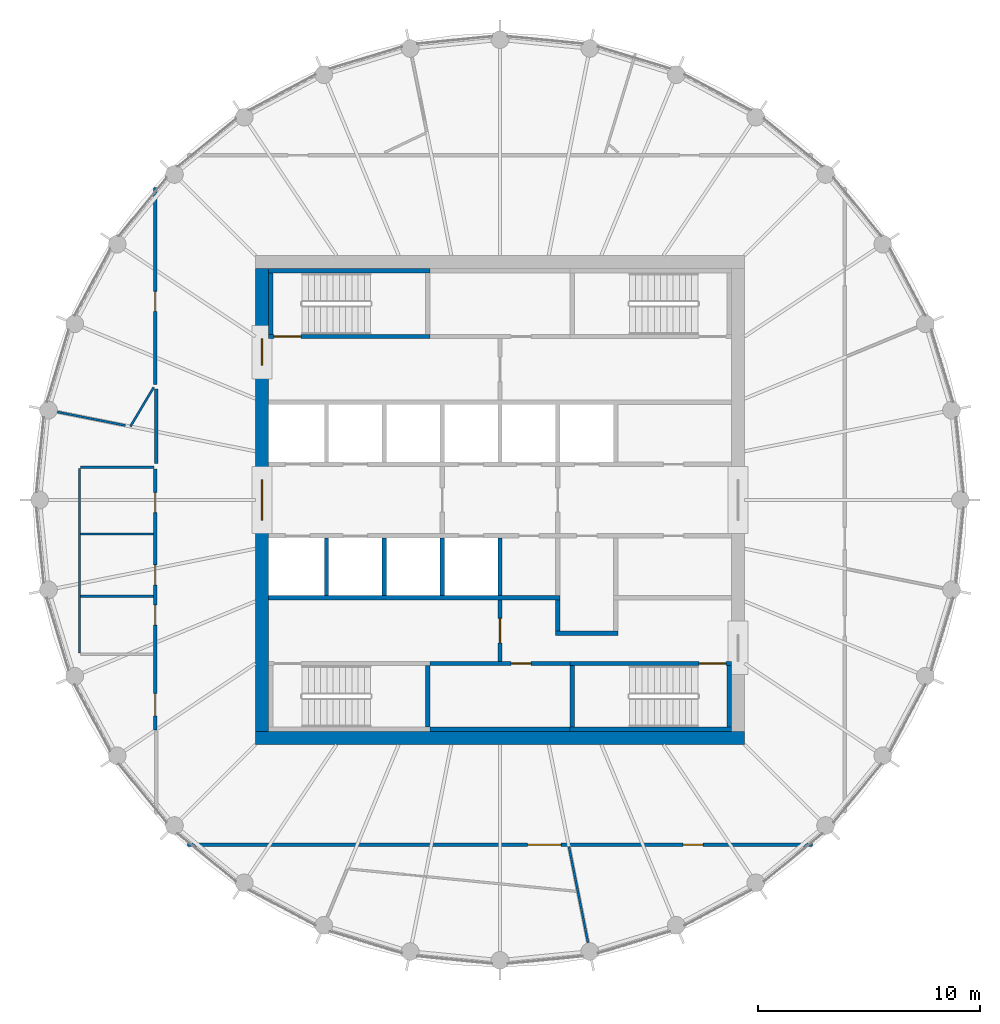
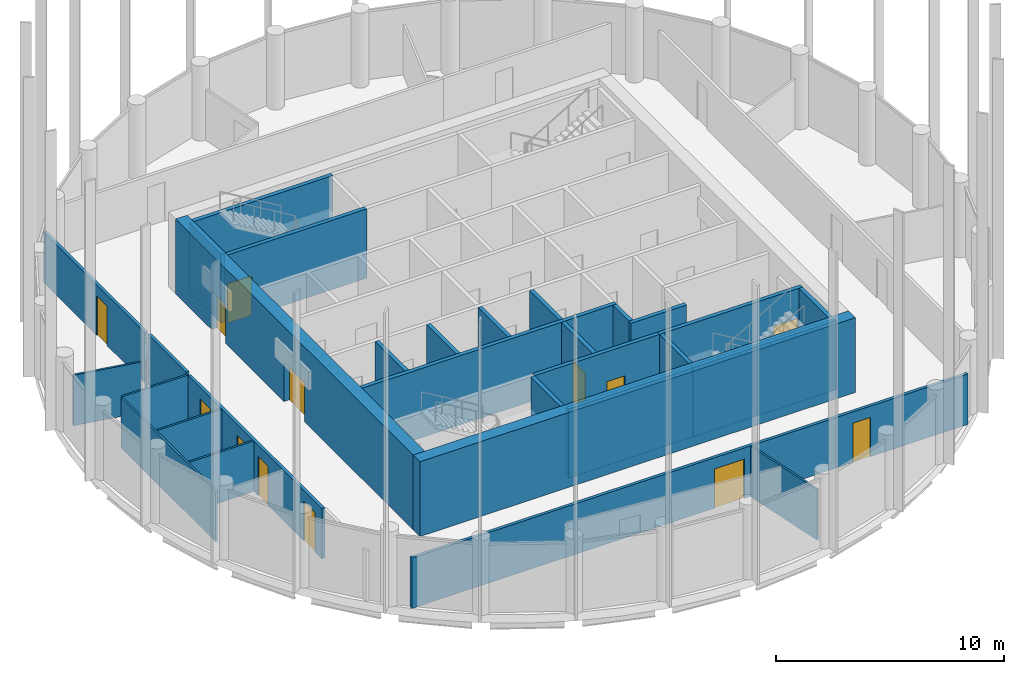
# One storey, part 4 of 7: 31 walls, 13 doors, 13 openings.
"""IFC4 building model written with IfcOpenShell, lengths in metres."""

from ifc_helpers import new_model, si_unit, direction, frame, frame_2d, origin, place, context, subcontext, project, spatial, polyline, rectangle, outline, extrude, material, layer, layer_set, type_object, element, fill, save


model = new_model("IFC4")

# Units and contexts
model_context = context("Model", 3, precision=1e-05, world=origin(), true_north=direction((0.0, 1.0)))
body_context = subcontext(model_context, "Body", "Model", "MODEL_VIEW")
ifc_project = project(units=[si_unit("LENGTHUNIT", "METRE"), si_unit("AREAUNIT", "SQUARE_METRE"), si_unit("VOLUMEUNIT", "CUBIC_METRE"), si_unit("PLANEANGLEUNIT", "RADIAN"), si_unit("MASSUNIT", "GRAM", prefix="KILO")], contexts=[model_context])

# Site, building, storey
site_placement = place(None, origin())
site = spatial("IfcSite", under=ifc_project, at=site_placement, CompositionType="ELEMENT")
building_placement = place(site_placement, origin())
building = spatial("IfcBuilding", under=site, at=building_placement, Name="Corvane Civic Tower", CompositionType="ELEMENT")
storey_placement = place(building_placement, frame((0.0, 0.0, 324.5)))
storey = spatial("IfcBuildingStorey", under=building, at=storey_placement, Name="L77", CompositionType="ELEMENT", Elevation=324.5)

# Wall
ifc_material_1 = material(Name="Concrete C40/50", Category="concrete")
ifc_layer_1 = layer(ifc_material_1, 0.60009765625)
ifc_layer_set_1 = layer_set([ifc_layer_1], Name="Concrete C40/50")
wall_type_1 = type_object("IfcWallType", Name="CORE WALL 600 C40/50", PredefinedType="SHEAR", material=ifc_layer_set_1)
wall_1_placement = place(storey_placement, frame((-11.0, -10.699951171875, 0.0), z_axis=(0.0, 0.0, 1.0), x_axis=(1.0, 0.0, 0.0)))
element("IfcWall", 1, at=wall_1_placement, inside=storey, type_object=wall_type_1, Name="W-L77-core-S", PredefinedType="SHEAR", context=body_context, shape_type="SweptSolid", body=[
    extrude(rectangle(XDim=22.0, YDim=0.60009765625, at=frame_2d((11.0, 0.0))), origin(), (0.0, 0.0, 1.0), 4.0),
])

# Wall, openings, doors
wall_2_placement = place(storey_placement, frame((-10.699951171875, -10.39990234375, 0.0), z_axis=(0.0, 0.0, 1.0), x_axis=(0.0, 1.0, 0.0)))
wall_2 = element("IfcWall", 2, at=wall_2_placement, inside=storey, type_object=wall_type_1, Name="W-L77-core-W", PredefinedType="SHEAR", context=body_context, shape_type="SweptSolid", body=[
    extrude(rectangle(XDim=20.7998046875, YDim=0.60009765625, at=frame_2d((10.39990234375, 0.0))), origin(), (0.0, 0.0, 1.0), 4.0),
])
opening_1_placement = place(wall_2_placement, frame((9.5, 0.0, 0.0)))
opening_1 = element("IfcOpeningElement", 3, at=opening_1_placement, cuts=wall_2, Name="Opening L77.C15", PredefinedType="OPENING", context=body_context, shape_type="SweptSolid", body=[
    extrude(rectangle(XDim=1.800048828125, YDim=2.10009765625, at=frame_2d((0.89990234375, 1.050048828125))), frame((0.0, 0.31005859375, 0.0), z_axis=(0.0, -1.0, 0.0), x_axis=(1.0, 0.0, 0.0)), (0.0, 0.0, 1.0), 0.6201171875),
])
opening_2_placement = place(wall_2_placement, frame((16.449951171875, 0.0, 0.0)))
opening_2 = element("IfcOpeningElement", 4, at=opening_2_placement, cuts=wall_2, Name="Opening L77.C17", PredefinedType="OPENING", context=body_context, shape_type="SweptSolid", body=[
    extrude(rectangle(XDim=1.199951171875, YDim=2.10009765625, at=frame_2d((0.60009765625, 1.050048828125))), frame((0.0, 0.31005859375, 0.0), z_axis=(0.0, -1.0, 0.0), x_axis=(1.0, 0.0, 0.0)), (0.0, 0.0, 1.0), 0.6201171875),
])
ifc_material_2 = material(Name="Steel fire door leaf", Category="steel")
door_type_1 = type_object("IfcDoorType", Name="CR-DOOR-CORE-1800", OperationType="DOUBLE_DOOR_SINGLE_SWING", PredefinedType="DOOR", material=ifc_material_2)
door_1_placement = place(opening_1_placement, origin())
door_1 = element("IfcDoor", 5, at=door_1_placement, inside=storey, type_object=door_type_1, Name="L77 door", OperationType="DOUBLE_DOOR_SINGLE_SWING", OverallHeight=2.10009765625, OverallWidth=1.800048828125, PredefinedType="DOOR", context=body_context, shape_type="SweptSolid", body=[
    extrude(rectangle(XDim=1.800048828125, YDim=2.10009765625, at=frame_2d((0.89990234375, 1.050048828125))), frame((0.0, 0.02490234375, 0.0), z_axis=(0.0, -1.0, 0.0), x_axis=(1.0, 0.0, 0.0)), (0.0, 0.0, 1.0), 0.050048828125),
])
fill(opening_1, door_1)
door_2_placement = place(opening_2_placement, origin())
door_2 = element("IfcDoor", 6, at=door_2_placement, inside=storey, type_object=door_type_1, Name="L77 door", OperationType="DOUBLE_DOOR_SINGLE_SWING", OverallHeight=2.10009765625, OverallWidth=1.199951171875, PredefinedType="DOOR", context=body_context, shape_type="SweptSolid", body=[
    extrude(rectangle(XDim=1.199951171875, YDim=2.10009765625, at=frame_2d((0.60009765625, 1.050048828125))), frame((0.0, 0.02490234375, 0.0), z_axis=(0.0, -1.0, 0.0), x_axis=(1.0, 0.0, 0.0)), (0.0, 0.0, 1.0), 0.050048828125),
])
fill(opening_2, door_2)

# Wall, opening, door
ifc_material_3 = material(Name="Concrete C30/37", Category="concrete")
ifc_layer_2 = layer(ifc_material_3, 0.199951171875)
ifc_layer_set_2 = layer_set([ifc_layer_2], Name="Concrete C30/37")
wall_type_2 = type_object("IfcWallType", Name="CR-WALL-200", PredefinedType="PARTITIONING", material=ifc_layer_set_2)
wall_3_placement = place(storey_placement, frame((-3.14990234375, -7.35009765625, 0.0), z_axis=(0.0, 0.0, 1.0), x_axis=(1.0, 0.0, 0.0)))
wall_3 = element("IfcWall", 7, at=wall_3_placement, inside=storey, type_object=wall_type_2, Name="L77 partition wall", PredefinedType="PARTITIONING", context=body_context, shape_type="SweptSolid", body=[
    extrude(rectangle(XDim=6.2998046875, YDim=0.199951171875, at=frame_2d((3.14990234375, 0.0))), origin(), (0.0, 0.0, 1.0), 3.699951171875),
])
opening_3_placement = place(wall_3_placement, frame((3.64990234375, 0.0, 0.0)))
opening_3 = element("IfcOpeningElement", 8, at=opening_3_placement, cuts=wall_3, Name="Opening L77.C06", PredefinedType="OPENING", context=body_context, shape_type="SweptSolid", body=[
    extrude(rectangle(XDim=0.89990234375, YDim=2.10009765625, at=frame_2d((0.449951171875, 1.050048828125))), frame((0.0, 0.10986328125, 0.0), z_axis=(0.0, -1.0, 0.0), x_axis=(1.0, 0.0, 0.0)), (0.0, 0.0, 1.0), 0.219970703125),
])
ifc_material_4 = material(Name="Steel fire door leaf", Category="steel")
door_type_2 = type_object("IfcDoorType", Name="CR-DOOR-900", OperationType="SINGLE_SWING_LEFT", PredefinedType="DOOR", material=ifc_material_4)
door_3_placement = place(opening_3_placement, origin())
door_3 = element("IfcDoor", 9, at=door_3_placement, inside=storey, type_object=door_type_2, Name="L77 door", OperationType="SINGLE_SWING_LEFT", OverallHeight=2.10009765625, OverallWidth=0.89990234375, PredefinedType="DOOR", context=body_context, shape_type="SweptSolid", body=[
    extrude(rectangle(XDim=0.89990234375, YDim=2.10009765625, at=frame_2d((0.449951171875, 1.050048828125))), frame((0.0, 0.02490234375, 0.0), z_axis=(0.0, -1.0, 0.0), x_axis=(1.0, 0.0, 0.0)), (0.0, 0.0, 1.0), 0.050048828125),
])
fill(opening_3, door_3)

wall_4_placement = place(storey_placement, frame((0.0, -7.25, 0.0), z_axis=(0.0, 0.0, 1.0), x_axis=(0.0, 1.0, 0.0)))
wall_4 = element("IfcWall", 10, at=wall_4_placement, inside=storey, type_object=wall_type_2, Name="L77 core partition wall", PredefinedType="PARTITIONING", context=body_context, shape_type="SweptSolid", body=[
    extrude(rectangle(XDim=2.75, YDim=0.199951171875, at=frame_2d((1.375, 0.0))), origin(), (0.0, 0.0, 1.0), 3.699951171875),
])
opening_4_placement = place(wall_4_placement, frame((0.824951171875, 0.0, 0.0)))
opening_4 = element("IfcOpeningElement", 11, at=opening_4_placement, cuts=wall_4, Name="Opening L77.C14", PredefinedType="OPENING", context=body_context, shape_type="SweptSolid", body=[
    extrude(rectangle(XDim=1.10009765625, YDim=2.10009765625, at=frame_2d((0.550048828125, 1.050048828125))), frame((0.0, 0.10986328125, 0.0), z_axis=(0.0, -1.0, 0.0), x_axis=(1.0, 0.0, 0.0)), (0.0, 0.0, 1.0), 0.219970703125),
])
ifc_material_5 = material(Name="Steel fire door leaf", Category="steel")
door_type_3 = type_object("IfcDoorType", Name="CR-DOOR-FFL-1100", OperationType="SINGLE_SWING_LEFT", PredefinedType="DOOR", material=ifc_material_5)
door_4_placement = place(opening_4_placement, origin())
door_4 = element("IfcDoor", 12, at=door_4_placement, inside=storey, type_object=door_type_3, Name="L77 lobby door", OperationType="SINGLE_SWING_LEFT", OverallHeight=2.10009765625, OverallWidth=1.10009765625, PredefinedType="DOOR", context=body_context, shape_type="SweptSolid", body=[
    extrude(rectangle(XDim=1.10009765625, YDim=2.10009765625, at=frame_2d((0.550048828125, 1.050048828125))), frame((0.0, 0.02490234375, 0.0), z_axis=(0.0, -1.0, 0.0), x_axis=(1.0, 0.0, 0.0)), (0.0, 0.0, 1.0), 0.050048828125),
])
fill(opening_4, door_4)

# Walls
wall_5_placement = place(storey_placement, origin())
element("IfcWall", 13, at=wall_5_placement, inside=storey, type_object=wall_type_2, Name="L77 core partition wall", PredefinedType="PARTITIONING", context=body_context, shape_type="SweptSolid", body=[
    extrude(outline(polyline([(2.699951171875, -4.300048828125), (2.699951171875, -4.5), (-10.39990234375, -4.5), (-10.39990234375, -4.300048828125), (2.699951171875, -4.300048828125)])), origin(), (0.0, 0.0, 1.0), 3.699951171875),
])
wall_6_placement = place(storey_placement, origin())
element("IfcWall", 14, at=wall_6_placement, inside=storey, type_object=wall_type_2, Name="L77 core partition wall", PredefinedType="PARTITIONING", context=body_context, shape_type="SweptSolid", body=[
    extrude(outline(polyline([(5.300048828125, -6.10009765625), (2.5, -6.10009765625), (2.5, -5.89990234375), (5.300048828125, -5.89990234375), (5.300048828125, -6.10009765625)])), origin(), (0.0, 0.0, 1.0), 3.699951171875),
])
wall_7_placement = place(storey_placement, origin())
element("IfcWall", 15, at=wall_7_placement, inside=storey, type_object=wall_type_2, Name="L77 core partition wall", PredefinedType="PARTITIONING", context=body_context, shape_type="SweptSolid", body=[
    extrude(outline(polyline([(-2.5, -1.699951171875), (-2.5, -4.2998046875), (-2.699951171875, -4.2998046875), (-2.699951171875, -1.699951171875), (-2.5, -1.699951171875)])), origin(), (0.0, 0.0, 1.0), 3.699951171875),
])
wall_8_placement = place(storey_placement, origin())
element("IfcWall", 16, at=wall_8_placement, inside=storey, type_object=wall_type_2, Name="L77 core partition wall", PredefinedType="PARTITIONING", context=body_context, shape_type="SweptSolid", body=[
    extrude(outline(polyline([(0.10009765625, -1.699951171875), (0.10009765625, -4.2998046875), (-0.10009765625, -4.2998046875), (-0.10009765625, -1.699951171875), (0.10009765625, -1.699951171875)])), origin(), (0.0, 0.0, 1.0), 3.699951171875),
])
wall_9_placement = place(storey_placement, origin())
element("IfcWall", 17, at=wall_9_placement, inside=storey, type_object=wall_type_2, Name="L77 core partition wall", PredefinedType="PARTITIONING", context=body_context, shape_type="SweptSolid", body=[
    extrude(outline(polyline([(-7.699951171875, -1.699951171875), (-7.699951171875, -4.2998046875), (-7.89990234375, -4.2998046875), (-7.89990234375, -1.699951171875), (-7.699951171875, -1.699951171875)])), origin(), (0.0, 0.0, 1.0), 3.699951171875),
])
wall_10_placement = place(storey_placement, origin())
element("IfcWall", 18, at=wall_10_placement, inside=storey, type_object=wall_type_2, Name="L77 core partition wall", PredefinedType="PARTITIONING", context=body_context, shape_type="SweptSolid", body=[
    extrude(outline(polyline([(-5.10009765625, -1.699951171875), (-5.10009765625, -4.2998046875), (-5.300048828125, -4.2998046875), (-5.300048828125, -1.699951171875), (-5.10009765625, -1.699951171875)])), origin(), (0.0, 0.0, 1.0), 3.699951171875),
])
wall_11_placement = place(storey_placement, origin())
element("IfcWall", 19, at=wall_11_placement, inside=storey, type_object=wall_type_2, Name="L77 core partition wall", PredefinedType="PARTITIONING", context=body_context, shape_type="SweptSolid", body=[
    extrude(outline(polyline([(2.699951171875, -5.89990234375), (2.5, -5.89990234375), (2.5, -4.5), (2.699951171875, -4.5), (2.699951171875, -5.89990234375)])), origin(), (0.0, 0.0, 1.0), 3.699951171875),
])
wall_12_placement = place(storey_placement, origin())
element("IfcWall", 20, at=wall_12_placement, inside=storey, type_object=wall_type_2, Name="L77 core partition wall", PredefinedType="PARTITIONING", context=body_context, shape_type="SweptSolid", body=[
    extrude(outline(polyline([(3.14990234375, -10.199951171875), (3.14990234375, -10.39990234375), (-3.14990234375, -10.39990234375), (-3.14990234375, -10.199951171875), (3.14990234375, -10.199951171875)])), origin(), (0.0, 0.0, 1.0), 3.699951171875),
])
ifc_material_6 = material(Name="Plasterboard")
ifc_layer_3 = layer(ifc_material_6, 0.10009765625)
ifc_layer_set_3 = layer_set([ifc_layer_3], Name="Plasterboard")
wall_type_3 = type_object("IfcWallType", Name="Partition 100 plasterboard on studs", PredefinedType="PARTITIONING", material=ifc_layer_set_3)
wall_13_placement = place(storey_placement, frame((3.10009765625, -15.584716796875, 0.0), z_axis=(0.0, 0.0, 1.0), x_axis=(0.195091656081, -0.98078501504, 0.0)))
element("IfcWall", 21, at=wall_13_placement, inside=storey, type_object=wall_type_3, Name="Partition L77.001", PredefinedType="PARTITIONING", context=body_context, shape_type="SweptSolid", body=[
    extrude(rectangle(XDim=4.39990234375, YDim=0.10009765625, at=frame_2d((2.199951171875, 0.0))), origin(), (0.0, 0.0, 1.0), 2.699951171875),
])
wall_14_placement = place(storey_placement, frame((-18.89990234375, -6.880615234375, 0.0), z_axis=(0.0, 0.0, 1.0), x_axis=(0.0, 1.0, 0.0)))
element("IfcWall", 22, at=wall_14_placement, inside=storey, type_object=wall_type_3, Name="Partition L77.009", PredefinedType="PARTITIONING", context=body_context, shape_type="SweptSolid", body=[
    extrude(rectangle(XDim=8.2998046875, YDim=0.10009765625, at=frame_2d((4.14990234375, 0.0))), origin(), (0.0, 0.0, 1.0), 2.699951171875),
])
for number, where, z_axis, x_axis, name in (
    (23, (-18.85009765625, -4.330810546875, 0.0), (0.0, 0.0, 1.0), (1.0, 0.0, 0.0), "Partition L77.010"),
    (24, (-18.85009765625, -1.53076171875, 0.0), (0.0, 0.0, 1.0), (1.0, 0.0, 0.0), "Partition L77.012"),
):
    element("IfcWall", number, at=place(storey_placement, frame(where, z_axis=z_axis, x_axis=x_axis)), inside=storey, type_object=wall_type_3, Name=name, PredefinedType="PARTITIONING", context=body_context, shape_type="SweptSolid", body=[
        extrude(rectangle(XDim=3.275146484375, YDim=0.10009765625, at=frame_2d((1.6376953125, 0.0))), origin(), (0.0, 0.0, 1.0), 2.699951171875),
    ])
wall_15_placement = place(storey_placement, frame((-18.85009765625, 1.46923828125, 0.0), z_axis=(0.0, 0.0, 1.0), x_axis=(1.0, 0.0, 0.0)))
element("IfcWall", 25, at=wall_15_placement, inside=storey, type_object=wall_type_3, Name="Partition L77.013", PredefinedType="PARTITIONING", context=body_context, shape_type="SweptSolid", body=[
    extrude(rectangle(XDim=3.300048828125, YDim=0.10009765625, at=frame_2d((1.64990234375, 0.0))), origin(), (0.0, 0.0, 1.0), 2.699951171875),
])
wall_16_placement = place(storey_placement, frame((-16.619873046875, 3.305908203125, 0.0), z_axis=(0.0, 0.0, 1.0), x_axis=(0.514162314358, 0.857692902206, 0.0)))
element("IfcWall", 26, at=wall_16_placement, inside=storey, type_object=wall_type_3, Name="Partition L77.015", PredefinedType="PARTITIONING", context=body_context, shape_type="SweptSolid", body=[
    extrude(rectangle(XDim=2.046142578125, YDim=0.10009765625, at=frame_2d((1.02294921875, 0.0))), origin(), (0.0, 0.0, 1.0), 2.699951171875),
])
wall_17_placement = place(storey_placement, frame((-19.900146484375, 3.95849609375, 0.0), z_axis=(0.0, 0.0, 1.0), x_axis=(0.980782153645, -0.195106040635, 0.0)))
element("IfcWall", 27, at=wall_17_placement, inside=storey, type_object=wall_type_3, Name="Partition L77.016", PredefinedType="PARTITIONING", context=body_context, shape_type="SweptSolid", body=[
    extrude(rectangle(XDim=3.114501953125, YDim=0.10009765625, at=frame_2d((1.55712890625, 0.0))), origin(), (0.0, 0.0, 1.0), 2.699951171875),
])

# Wall, opening, door
ifc_material_7 = material(Name="Concrete C50/60", Category="concrete")
ifc_layer_4 = layer(ifc_material_7, 0.199951171875)
ifc_layer_set_4 = layer_set([ifc_layer_4], Name="Concrete C50/60")
wall_type_4 = type_object("IfcWallType", Name="ST-WALL-200", PredefinedType="SHEAR", material=ifc_layer_set_4)
wall_18_placement = place(storey_placement, frame((3.14990234375, -7.35009765625, 0.0), z_axis=(0.0, 0.0, 1.0), x_axis=(1.0, 0.0, 0.0)))
wall_18 = element("IfcWall", 28, at=wall_18_placement, inside=storey, type_object=wall_type_4, Name="L77 stair enclosure wall", PredefinedType="SHEAR", context=body_context, shape_type="SweptSolid", body=[
    extrude(rectangle(XDim=7.25, YDim=0.199951171875, at=frame_2d((3.625, 0.0))), origin(), (0.0, 0.0, 1.0), 3.699951171875),
])
opening_5_placement = place(wall_18_placement, frame((5.800048828125, 0.0, 0.0)))
opening_5 = element("IfcOpeningElement", 29, at=opening_5_placement, cuts=wall_18, Name="Opening L77.C09", PredefinedType="OPENING", context=body_context, shape_type="SweptSolid", body=[
    extrude(rectangle(XDim=1.199951171875, YDim=2.10009765625, at=frame_2d((0.60009765625, 1.050048828125))), frame((0.0, 0.10986328125, 0.0), z_axis=(0.0, -1.0, 0.0), x_axis=(1.0, 0.0, 0.0)), (0.0, 0.0, 1.0), 0.219970703125),
])
ifc_material_8 = material(Name="Steel fire door leaf", Category="steel")
door_type_4 = type_object("IfcDoorType", Name="ST-DOOR-1200", OperationType="SINGLE_SWING_RIGHT", PredefinedType="DOOR", material=ifc_material_8)
door_5_placement = place(opening_5_placement, origin())
door_5 = element("IfcDoor", 30, at=door_5_placement, inside=storey, type_object=door_type_4, Name="L77 stair door", OperationType="SINGLE_SWING_RIGHT", OverallHeight=2.10009765625, OverallWidth=1.199951171875, PredefinedType="DOOR", context=body_context, shape_type="SweptSolid", body=[
    extrude(rectangle(XDim=1.199951171875, YDim=2.10009765625, at=frame_2d((0.60009765625, 1.050048828125))), frame((0.0, 0.02490234375, 0.0), z_axis=(0.0, -1.0, 0.0), x_axis=(1.0, 0.0, 0.0)), (0.0, 0.0, 1.0), 0.050048828125),
])
fill(opening_5, door_5)

wall_19_placement = place(storey_placement, frame((-10.39990234375, 7.35009765625, 0.0), z_axis=(0.0, 0.0, 1.0), x_axis=(1.0, 0.0, 0.0)))
wall_19 = element("IfcWall", 31, at=wall_19_placement, inside=storey, type_object=wall_type_4, Name="L77 stair enclosure wall", PredefinedType="SHEAR", context=body_context, shape_type="SweptSolid", body=[
    extrude(rectangle(XDim=7.25, YDim=0.199951171875, at=frame_2d((3.625, 0.0))), origin(), (0.0, 0.0, 1.0), 3.699951171875),
])
opening_6_placement = place(wall_19_placement, frame((0.25, 0.0, 0.0)))
opening_6 = element("IfcOpeningElement", 32, at=opening_6_placement, cuts=wall_19, Name="Opening L77.C08", PredefinedType="OPENING", context=body_context, shape_type="SweptSolid", body=[
    extrude(rectangle(XDim=1.199951171875, YDim=2.10009765625, at=frame_2d((0.60009765625, 1.050048828125))), frame((0.0, 0.10986328125, 0.0), z_axis=(0.0, -1.0, 0.0), x_axis=(1.0, 0.0, 0.0)), (0.0, 0.0, 1.0), 0.219970703125),
])
door_6_placement = place(opening_6_placement, origin())
door_6 = element("IfcDoor", 33, at=door_6_placement, inside=storey, type_object=door_type_4, Name="L77 stair door", OperationType="SINGLE_SWING_RIGHT", OverallHeight=2.10009765625, OverallWidth=1.199951171875, PredefinedType="DOOR", context=body_context, shape_type="SweptSolid", body=[
    extrude(rectangle(XDim=1.199951171875, YDim=2.10009765625, at=frame_2d((0.60009765625, 1.050048828125))), frame((0.0, 0.02490234375, 0.0), z_axis=(0.0, -1.0, 0.0), x_axis=(1.0, 0.0, 0.0)), (0.0, 0.0, 1.0), 0.050048828125),
])
fill(opening_6, door_6)

# Walls
wall_20_placement = place(storey_placement, origin())
element("IfcWall", 34, at=wall_20_placement, inside=storey, type_object=wall_type_4, Name="L77 stair enclosure wall", PredefinedType="SHEAR", context=body_context, shape_type="SweptSolid", body=[
    extrude(outline(polyline([(-3.14990234375, 10.199951171875), (-10.39990234375, 10.199951171875), (-10.39990234375, 10.39990234375), (-3.14990234375, 10.39990234375), (-3.14990234375, 10.199951171875)])), origin(), (0.0, 0.0, 1.0), 3.699951171875),
])
wall_21_placement = place(storey_placement, origin())
element("IfcWall", 35, at=wall_21_placement, inside=storey, type_object=wall_type_4, Name="L77 stair enclosure wall", PredefinedType="SHEAR", context=body_context, shape_type="SweptSolid", body=[
    extrude(outline(polyline([(10.39990234375, -10.39990234375), (3.14990234375, -10.39990234375), (3.14990234375, -10.199951171875), (10.39990234375, -10.199951171875), (10.39990234375, -10.39990234375)])), origin(), (0.0, 0.0, 1.0), 3.699951171875),
])
wall_22_placement = place(storey_placement, origin())
element("IfcWall", 36, at=wall_22_placement, inside=storey, type_object=wall_type_4, Name="L77 stair enclosure wall", PredefinedType="SHEAR", context=body_context, shape_type="SweptSolid", body=[
    extrude(outline(polyline([(-3.14990234375, -7.449951171875), (-3.14990234375, -10.199951171875), (-3.35009765625, -10.199951171875), (-3.35009765625, -7.449951171875), (-3.14990234375, -7.449951171875)])), origin(), (0.0, 0.0, 1.0), 3.699951171875),
])
wall_23_placement = place(storey_placement, origin())
element("IfcWall", 37, at=wall_23_placement, inside=storey, type_object=wall_type_4, Name="L77 stair enclosure wall", PredefinedType="SHEAR", context=body_context, shape_type="SweptSolid", body=[
    extrude(outline(polyline([(3.35009765625, -7.449951171875), (3.35009765625, -10.199951171875), (3.14990234375, -10.199951171875), (3.14990234375, -7.449951171875), (3.35009765625, -7.449951171875)])), origin(), (0.0, 0.0, 1.0), 3.699951171875),
])
wall_24_placement = place(storey_placement, origin())
element("IfcWall", 38, at=wall_24_placement, inside=storey, type_object=wall_type_4, Name="L77 stair enclosure wall", PredefinedType="SHEAR", context=body_context, shape_type="SweptSolid", body=[
    extrude(outline(polyline([(-10.199951171875, 7.449951171875), (-10.39990234375, 7.449951171875), (-10.39990234375, 10.199951171875), (-10.199951171875, 10.199951171875), (-10.199951171875, 7.449951171875)])), origin(), (0.0, 0.0, 1.0), 3.699951171875),
])
wall_25_placement = place(storey_placement, origin())
element("IfcWall", 39, at=wall_25_placement, inside=storey, type_object=wall_type_4, Name="L77 stair enclosure wall", PredefinedType="SHEAR", context=body_context, shape_type="SweptSolid", body=[
    extrude(outline(polyline([(10.39990234375, -7.449951171875), (10.39990234375, -10.199951171875), (10.199951171875, -10.199951171875), (10.199951171875, -7.449951171875), (10.39990234375, -7.449951171875)])), origin(), (0.0, 0.0, 1.0), 3.699951171875),
])

# Wall, openings, doors
ifc_material_9 = material(Name="Plasterboard")
ifc_layer_5 = layer(ifc_material_9, 0.14990234375)
ifc_layer_set_5 = layer_set([ifc_layer_5], Name="Plasterboard")
wall_type_5 = type_object("IfcWallType", Name="Tenancy wall 150 EI 60", PredefinedType="PARTITIONING", material=ifc_layer_set_5)
wall_26_placement = place(storey_placement, frame((-14.05712890625, -15.5, 0.0), z_axis=(0.0, 0.0, 1.0), x_axis=(1.0, 0.0, 0.0)))
wall_26 = element("IfcWall", 40, at=wall_26_placement, inside=storey, type_object=wall_type_5, Name="Partition L77.004", PredefinedType="PARTITIONING", context=body_context, shape_type="SweptSolid", body=[
    extrude(rectangle(XDim=28.1142578125, YDim=0.14990234375, at=frame_2d((14.05712890625, 0.0))), origin(), (0.0, 0.0, 1.0), 2.699951171875),
])
opening_7_placement = place(wall_26_placement, frame((22.289794921875, 0.0, 0.0)))
opening_7 = element("IfcOpeningElement", 41, at=opening_7_placement, cuts=wall_26, Name="Opening L77.008", PredefinedType="OPENING", context=body_context, shape_type="SweptSolid", body=[
    extrude(rectangle(XDim=0.89990234375, YDim=2.10009765625, at=frame_2d((0.449951171875, 1.050048828125))), frame((0.0, 0.0849609375, 0.0), z_axis=(0.0, -1.0, 0.0), x_axis=(1.0, 0.0, 0.0)), (0.0, 0.0, 1.0), 0.169921875),
])
opening_8_placement = place(wall_26_placement, frame((15.3046875, 0.0, 0.0)))
opening_8 = element("IfcOpeningElement", 42, at=opening_8_placement, cuts=wall_26, Name="Opening L77.010", PredefinedType="OPENING", context=body_context, shape_type="SweptSolid", body=[
    extrude(rectangle(XDim=1.5, YDim=2.10009765625, at=frame_2d((0.75, 1.050048828125))), frame((0.0, 0.0849609375, 0.0), z_axis=(0.0, -1.0, 0.0), x_axis=(1.0, 0.0, 0.0)), (0.0, 0.0, 1.0), 0.169921875),
])
ifc_material_10 = material(Name="Steel and timber", Category="steel")
door_type_5 = type_object("IfcDoorType", Name="Fire door FD30S 900", OperationType="NOTDEFINED", PredefinedType="DOOR", material=ifc_material_10)
door_7_placement = place(opening_7_placement, frame((0.89990234375, 0.0, 0.0), z_axis=(0.0, 0.0, 1.0), x_axis=(-1.0, 0.0, 0.0)))
door_7 = element("IfcDoor", 43, at=door_7_placement, inside=storey, type_object=door_type_5, Name="Door L77.008", OperationType="SINGLE_SWING_RIGHT", OverallHeight=2.10009765625, OverallWidth=0.89990234375, PredefinedType="DOOR", context=body_context, shape_type="SweptSolid", body=[
    extrude(rectangle(XDim=0.89990234375, YDim=2.10009765625, at=frame_2d((0.449951171875, 1.050048828125))), frame((0.0, 0.02490234375, 0.0), z_axis=(0.0, -1.0, 0.0), x_axis=(1.0, 0.0, 0.0)), (0.0, 0.0, 1.0), 0.050048828125),
])
fill(opening_7, door_7)
ifc_material_11 = material(Name="Steel and timber", Category="steel")
door_type_6 = type_object("IfcDoorType", Name="Fire door FD60 double 1500", OperationType="NOTDEFINED", PredefinedType="DOOR", material=ifc_material_11)
door_8_placement = place(opening_8_placement, frame((1.5, 0.0, 0.0), z_axis=(0.0, 0.0, 1.0), x_axis=(-1.0, 0.0, 0.0)))
door_8 = element("IfcDoor", 44, at=door_8_placement, inside=storey, type_object=door_type_6, Name="Door L77.010", OperationType="DOUBLE_DOOR_SINGLE_SWING", OverallHeight=2.10009765625, OverallWidth=1.5, PredefinedType="DOOR", context=body_context, shape_type="SweptSolid", body=[
    extrude(rectangle(XDim=1.5, YDim=2.10009765625, at=frame_2d((0.75, 1.050048828125))), frame((0.0, 0.02490234375, 0.0), z_axis=(0.0, -1.0, 0.0), x_axis=(1.0, 0.0, 0.0)), (0.0, 0.0, 1.0), 0.050048828125),
])
fill(opening_8, door_8)

wall_27_placement = place(storey_placement, frame((-15.5, -10.330810546875, 0.0), z_axis=(0.0, 0.0, 1.0), x_axis=(0.0, 1.0, 0.0)))
wall_27 = element("IfcWall", 45, at=wall_27_placement, inside=storey, type_object=wall_type_5, Name="Partition L77.007", PredefinedType="PARTITIONING", context=body_context, shape_type="SweptSolid", body=[
    extrude(rectangle(XDim=11.72509765625, YDim=0.14990234375, at=frame_2d((5.862548828125, 0.0))), origin(), (0.0, 0.0, 1.0), 2.699951171875),
])
opening_9_placement = place(wall_27_placement, frame((0.62158203125, 0.0, 0.0)))
opening_9 = element("IfcOpeningElement", 46, at=opening_9_placement, cuts=wall_27, Name="Opening L77.011", PredefinedType="OPENING", context=body_context, shape_type="SweptSolid", body=[
    extrude(rectangle(XDim=1.0, YDim=2.10009765625, at=frame_2d((0.5, 1.050048828125))), frame((0.0, 0.0849609375, 0.0), z_axis=(0.0, -1.0, 0.0), x_axis=(1.0, 0.0, 0.0)), (0.0, 0.0, 1.0), 0.169921875),
])
opening_10_placement = place(wall_27_placement, frame((9.7666015625, 0.0, 0.0)))
opening_10 = element("IfcOpeningElement", 47, at=opening_10_placement, cuts=wall_27, Name="Opening L77.012", PredefinedType="OPENING", context=body_context, shape_type="SweptSolid", body=[
    extrude(rectangle(XDim=0.89990234375, YDim=2.10009765625, at=frame_2d((0.449951171875, 1.050048828125))), frame((0.0, 0.0849609375, 0.0), z_axis=(0.0, -1.0, 0.0), x_axis=(1.0, 0.0, 0.0)), (0.0, 0.0, 1.0), 0.169921875),
])
opening_11_placement = place(wall_27_placement, frame((6.519775390625, 0.0, 0.0)))
opening_11 = element("IfcOpeningElement", 48, at=opening_11_placement, cuts=wall_27, Name="Opening L77.013", PredefinedType="OPENING", context=body_context, shape_type="SweptSolid", body=[
    extrude(rectangle(XDim=0.89990234375, YDim=2.10009765625, at=frame_2d((0.449951171875, 1.050048828125))), frame((0.0, 0.0849609375, 0.0), z_axis=(0.0, -1.0, 0.0), x_axis=(1.0, 0.0, 0.0)), (0.0, 0.0, 1.0), 0.169921875),
])
opening_12_placement = place(wall_27_placement, frame((4.701416015625, 0.0, 0.0)))
opening_12 = element("IfcOpeningElement", 49, at=opening_12_placement, cuts=wall_27, Name="Opening L77.014", PredefinedType="OPENING", context=body_context, shape_type="SweptSolid", body=[
    extrude(rectangle(XDim=0.89990234375, YDim=2.10009765625, at=frame_2d((0.449951171875, 1.050048828125))), frame((0.0, 0.0849609375, 0.0), z_axis=(0.0, -1.0, 0.0), x_axis=(1.0, 0.0, 0.0)), (0.0, 0.0, 1.0), 0.169921875),
])
ifc_material_12 = material(Name="Steel and timber", Category="steel")
door_type_7 = type_object("IfcDoorType", Name="Fire door FD30S 1000", OperationType="NOTDEFINED", PredefinedType="DOOR", material=ifc_material_12)
door_9_placement = place(opening_9_placement, origin())
door_9 = element("IfcDoor", 50, at=door_9_placement, inside=storey, type_object=door_type_7, Name="Door L77.011", OperationType="SINGLE_SWING_RIGHT", OverallHeight=2.10009765625, OverallWidth=1.0, PredefinedType="DOOR", context=body_context, shape_type="SweptSolid", body=[
    extrude(rectangle(XDim=1.0, YDim=2.10009765625, at=frame_2d((0.5, 1.050048828125))), frame((0.0, 0.02490234375, 0.0), z_axis=(0.0, -1.0, 0.0), x_axis=(1.0, 0.0, 0.0)), (0.0, 0.0, 1.0), 0.050048828125),
])
fill(opening_9, door_9)
door_10_placement = place(opening_10_placement, origin())
door_10 = element("IfcDoor", 51, at=door_10_placement, inside=storey, type_object=door_type_5, Name="Door L77.012", OperationType="SINGLE_SWING_LEFT", OverallHeight=2.10009765625, OverallWidth=0.89990234375, PredefinedType="DOOR", context=body_context, shape_type="SweptSolid", body=[
    extrude(rectangle(XDim=0.89990234375, YDim=2.10009765625, at=frame_2d((0.449951171875, 1.050048828125))), frame((0.0, 0.02490234375, 0.0), z_axis=(0.0, -1.0, 0.0), x_axis=(1.0, 0.0, 0.0)), (0.0, 0.0, 1.0), 0.050048828125),
])
fill(opening_10, door_10)
door_11_placement = place(opening_11_placement, origin())
door_11 = element("IfcDoor", 52, at=door_11_placement, inside=storey, type_object=door_type_5, Name="Door L77.013", OperationType="SINGLE_SWING_LEFT", OverallHeight=2.10009765625, OverallWidth=0.89990234375, PredefinedType="DOOR", context=body_context, shape_type="SweptSolid", body=[
    extrude(rectangle(XDim=0.89990234375, YDim=2.10009765625, at=frame_2d((0.449951171875, 1.050048828125))), frame((0.0, 0.02490234375, 0.0), z_axis=(0.0, -1.0, 0.0), x_axis=(1.0, 0.0, 0.0)), (0.0, 0.0, 1.0), 0.050048828125),
])
fill(opening_11, door_11)
door_12_placement = place(opening_12_placement, origin())
door_12 = element("IfcDoor", 53, at=door_12_placement, inside=storey, type_object=door_type_5, Name="Door L77.014", OperationType="SINGLE_SWING_RIGHT", OverallHeight=2.10009765625, OverallWidth=0.89990234375, PredefinedType="DOOR", context=body_context, shape_type="SweptSolid", body=[
    extrude(rectangle(XDim=0.89990234375, YDim=2.10009765625, at=frame_2d((0.449951171875, 1.050048828125))), frame((0.0, 0.02490234375, 0.0), z_axis=(0.0, -1.0, 0.0), x_axis=(1.0, 0.0, 0.0)), (0.0, 0.0, 1.0), 0.050048828125),
])
fill(opening_12, door_12)

# Wall
wall_28_placement = place(storey_placement, frame((-15.449951171875, 1.646728515625, 0.0), z_axis=(0.0, 0.0, 1.0), x_axis=(0.0, 1.0, 0.0)))
element("IfcWall", 54, at=wall_28_placement, inside=storey, type_object=wall_type_5, Name="Partition L77.014", PredefinedType="PARTITIONING", context=body_context, shape_type="SweptSolid", body=[
    extrude(rectangle(XDim=3.33984375, YDim=0.14990234375, at=frame_2d((1.669921875, 0.0))), origin(), (0.0, 0.0, 1.0), 2.699951171875),
])

# Wall, opening, door
wall_29_placement = place(storey_placement, frame((-15.5, 5.19482421875, 0.0), z_axis=(0.0, 0.0, 1.0), x_axis=(0.0, 1.0, 0.0)))
wall_29 = element("IfcWall", 55, at=wall_29_placement, inside=storey, type_object=wall_type_5, Name="Partition L77.017", PredefinedType="PARTITIONING", context=body_context, shape_type="SweptSolid", body=[
    extrude(rectangle(XDim=8.8623046875, YDim=0.14990234375, at=frame_2d((4.43115234375, 0.0))), origin(), (0.0, 0.0, 1.0), 2.699951171875),
])
opening_13_placement = place(wall_29_placement, frame((3.286376953125, 0.0, 0.0)))
opening_13 = element("IfcOpeningElement", 56, at=opening_13_placement, cuts=wall_29, Name="Opening L77.001", PredefinedType="OPENING", context=body_context, shape_type="SweptSolid", body=[
    extrude(rectangle(XDim=0.89990234375, YDim=2.10009765625, at=frame_2d((0.449951171875, 1.050048828125))), frame((0.0, 0.0849609375, 0.0), z_axis=(0.0, -1.0, 0.0), x_axis=(1.0, 0.0, 0.0)), (0.0, 0.0, 1.0), 0.169921875),
])
door_13_placement = place(opening_13_placement, origin())
door_13 = element("IfcDoor", 57, at=door_13_placement, inside=storey, type_object=door_type_5, Name="Door L77.001", OperationType="SINGLE_SWING_LEFT", OverallHeight=2.10009765625, OverallWidth=0.89990234375, PredefinedType="DOOR", context=body_context, shape_type="SweptSolid", body=[
    extrude(rectangle(XDim=0.89990234375, YDim=2.10009765625, at=frame_2d((0.449951171875, 1.050048828125))), frame((0.0, 0.02490234375, 0.0), z_axis=(0.0, -1.0, 0.0), x_axis=(1.0, 0.0, 0.0)), (0.0, 0.0, 1.0), 0.050048828125),
])
fill(opening_13, door_13)

save(model, "model.ifc")
